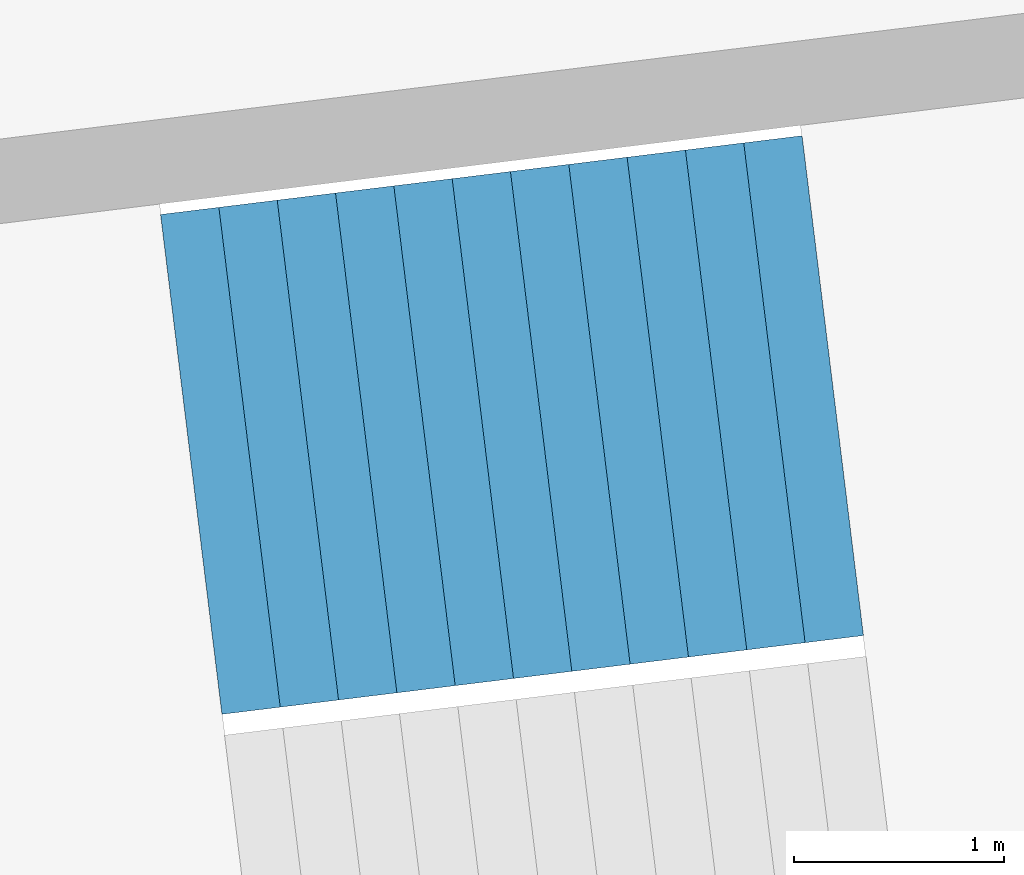
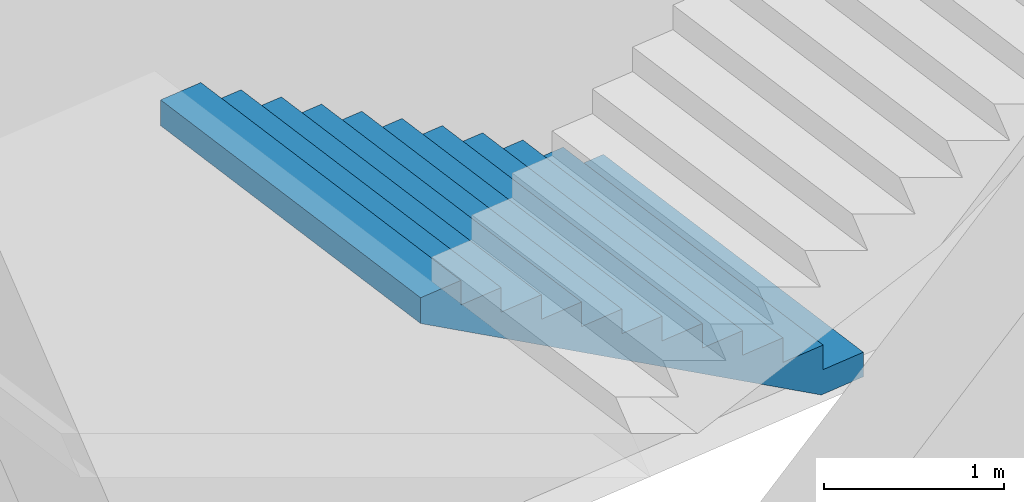
# One storey, part 60 of 74: 1 stair flight, 1 element without a shape of its own.
"""IFC4 building model written with IfcOpenShell, lengths in metres."""

from ifc_helpers import new_model, si_unit, direction, frame, origin, place, context, subcontext, project, spatial, triangles, material, type_object, element, aggregate, save


model = new_model("IFC4")

# Units and contexts
model_context = context("Model", 3, precision=1e-05, world=origin(), true_north=direction((0.0, 1.0)))
body_context = subcontext(model_context, "Body", "Model", "MODEL_VIEW")
ifc_project = project(units=[si_unit("LENGTHUNIT", "METRE"), si_unit("AREAUNIT", "SQUARE_METRE"), si_unit("VOLUMEUNIT", "CUBIC_METRE"), si_unit("PLANEANGLEUNIT", "RADIAN"), si_unit("MASSUNIT", "GRAM", prefix="KILO")], contexts=[model_context])

# Site, building, storey
site_placement = place(None, origin())
site = spatial("IfcSite", under=ifc_project, at=site_placement, CompositionType="ELEMENT")
building_placement = place(site_placement, origin())
building = spatial("IfcBuilding", under=site, at=building_placement, Name="Lantaw Convention Tower", CompositionType="ELEMENT")
storey_placement = place(building_placement, frame((0.0, 0.0, 6.5)))
storey = spatial("IfcBuildingStorey", under=building, at=storey_placement, Name="L01", CompositionType="ELEMENT", Elevation=6.5)

# Stair, stair flight
ifc_material = material(Name="Concrete C35/45", Category="concrete")
stair_type = type_object("IfcStairType", Name="Exit stair 2400 riser 166.67 in 4 flights", PredefinedType="HALF_TURN_STAIR", material=ifc_material)
stair_placement = place(storey_placement, origin())
stair = element("IfcStair", 1, at=stair_placement, inside=storey, type_object=stair_type, Name="Podium exit stair P1 L01", PredefinedType="HALF_TURN_STAIR")
stair_flight_type = type_object("IfcStairFlightType", Name="Stair flight 2400 riser 166.67", PredefinedType="STRAIGHT", material=ifc_material)
stair_flight_placement = place(storey_placement, frame((41.028564453125, 6.297119140625, 2.0), z_axis=(0.0, 0.0, 1.0), x_axis=(-0.992546151641, -0.121869343405, 0.0)))
stair_flight = element("IfcStairFlight", 2, at=stair_flight_placement, type_object=stair_flight_type, Name="P1 flight 2", NumberOfRisers=12, NumberOfTreads=11, PredefinedType="STRAIGHT", RiserHeight=0.166666667, TreadLength=0.28, context=body_context, shape_type="Tessellation", body=[
    triangles([(0.0, 1.199951171875, 0.0), (0.0, 1.199951171875, 0.166666667), (0.28, 1.199951171875, 0.0), (0.28, 1.199951171875, 0.166666667), (0.28, 1.199951171875, 0.333333334), (0.29307345806906726, 1.199951171875, 0.0), (0.29307345806906726, 1.199951171875, 0.333333334), (0.56, 1.199951171875, 0.15888484670522965), (0.56, 1.199951171875, 0.333333334), (0.56, 1.199951171875, 0.500000001), (0.8400000000000001, 1.199951171875, 0.3255515137052296), (0.8400000000000001, 1.199951171875, 0.500000001), (0.8400000000000001, 1.199951171875, 0.666666668), (1.12, 1.199951171875, 0.4922181807052296), (1.12, 1.199951171875, 0.666666668), (1.12, 1.199951171875, 0.833333335), (1.4000000000000001, 1.199951171875, 0.6588848477052296), (1.4000000000000001, 1.199951171875, 0.833333335), (1.4000000000000001, 1.199951171875, 1.000000002), (1.6800000000000002, 1.199951171875, 0.8255515147052296), (1.6800000000000002, 1.199951171875, 1.000000002), (1.6800000000000002, 1.199951171875, 1.166666669), (1.9600000000000002, 1.199951171875, 0.9922181817052296), (1.9600000000000002, 1.199951171875, 1.166666669), (1.9600000000000002, 1.199951171875, 1.333333336), (2.24, 1.199951171875, 1.1588848487052295), (2.24, 1.199951171875, 1.333333336), (2.24, 1.199951171875, 1.5000000029999998), (2.5200000000000005, 1.199951171875, 1.3255515157052296), (2.5200000000000005, 1.199951171875, 1.5000000029999998), (2.5200000000000005, 1.199951171875, 1.66666667), (2.8000000000000003, 1.199951171875, 1.4922181827052294), (2.8000000000000003, 1.199951171875, 1.66666667), (2.8000000000000003, 1.199951171875, 1.833333337), (3.08, 1.199951171875, 1.6588848497052293), (3.08, 1.199951171875, 1.833333337), (0.0, -1.199951171875, 0.0), (0.0, -1.199951171875, 0.166666667), (0.28, -1.199951171875, 0.0), (0.28, -1.199951171875, 0.166666667), (0.28, -1.199951171875, 0.333333334), (0.29307345806906726, -1.199951171875, 0.0), (0.29307345806906726, -1.199951171875, 0.333333334), (0.56, -1.199951171875, 0.15888484670522965), (0.56, -1.199951171875, 0.333333334), (0.56, -1.199951171875, 0.500000001), (0.8400000000000001, -1.199951171875, 0.3255515137052296), (0.8400000000000001, -1.199951171875, 0.500000001), (0.8400000000000001, -1.199951171875, 0.666666668), (1.12, -1.199951171875, 0.4922181807052296), (1.12, -1.199951171875, 0.666666668), (1.12, -1.199951171875, 0.833333335), (1.4000000000000001, -1.199951171875, 0.6588848477052296), (1.4000000000000001, -1.199951171875, 0.833333335), (1.4000000000000001, -1.199951171875, 1.000000002), (1.6800000000000002, -1.199951171875, 0.8255515147052296), (1.6800000000000002, -1.199951171875, 1.000000002), (1.6800000000000002, -1.199951171875, 1.166666669), (1.9600000000000002, -1.199951171875, 0.9922181817052296), (1.9600000000000002, -1.199951171875, 1.166666669), (1.9600000000000002, -1.199951171875, 1.333333336), (2.24, -1.199951171875, 1.1588848487052295), (2.24, -1.199951171875, 1.333333336), (2.24, -1.199951171875, 1.5000000029999998), (2.5200000000000005, -1.199951171875, 1.3255515157052296), (2.5200000000000005, -1.199951171875, 1.5000000029999998), (2.5200000000000005, -1.199951171875, 1.66666667), (2.8000000000000003, -1.199951171875, 1.4922181827052294), (2.8000000000000003, -1.199951171875, 1.66666667), (2.8000000000000003, -1.199951171875, 1.833333337), (3.08, -1.199951171875, 1.6588848497052293), (3.08, -1.199951171875, 1.833333337), (0.0, 0.239990234375, 0.166666667), (0.0, 0.239990234375, 0.0), (0.0, 0.1199951171875, 0.166666667), (0.0, 0.1199951171875, 0.0), (0.0, 0.0, 0.166666667), (0.0, 0.0, 0.0), (0.0, -0.1199951171875, 0.166666667), (0.0, -0.1199951171875, 0.0), (0.0, -0.239990234375, 0.166666667), (0.0, -0.239990234375, 0.0), (0.28, 0.239990234375, 0.333333334), (0.28, 0.239990234375, 0.166666667), (0.28, 0.1199951171875, 0.333333334), (0.28, 0.1199951171875, 0.166666667), (0.28, 0.0, 0.333333334), (0.28, 0.0, 0.166666667), (0.28, -0.1199951171875, 0.333333334), (0.28, -0.1199951171875, 0.166666667), (0.28, -0.239990234375, 0.333333334), (0.28, -0.239990234375, 0.166666667), (0.56, 0.239990234375, 0.500000001), (0.56, 0.239990234375, 0.333333334), (0.56, 0.1199951171875, 0.500000001), (0.56, 0.1199951171875, 0.333333334), (0.56, 0.0, 0.500000001), (0.56, 0.0, 0.333333334), (0.56, -0.1199951171875, 0.500000001), (0.56, -0.1199951171875, 0.333333334), (0.56, -0.239990234375, 0.500000001), (0.56, -0.239990234375, 0.333333334), (0.8400000000000001, 0.239990234375, 0.666666668), (0.8400000000000001, 0.239990234375, 0.500000001), (0.8400000000000001, 0.1199951171875, 0.666666668), (0.8400000000000001, 0.1199951171875, 0.500000001), (0.8400000000000001, 0.0, 0.666666668), (0.8400000000000001, 0.0, 0.500000001), (0.8400000000000001, -0.1199951171875, 0.666666668), (0.8400000000000001, -0.1199951171875, 0.500000001), (0.8400000000000001, -0.239990234375, 0.666666668), (0.8400000000000001, -0.239990234375, 0.500000001), (1.12, 0.239990234375, 0.833333335), (1.12, 0.239990234375, 0.666666668), (1.12, 0.1199951171875, 0.833333335), (1.12, 0.1199951171875, 0.666666668), (1.12, 0.0, 0.833333335), (1.12, 0.0, 0.666666668), (1.12, -0.1199951171875, 0.833333335), (1.12, -0.1199951171875, 0.666666668), (1.12, -0.239990234375, 0.833333335), (1.12, -0.239990234375, 0.666666668), (1.4000000000000001, 0.239990234375, 1.000000002), (1.4000000000000001, 0.239990234375, 0.833333335), (1.4000000000000001, 0.1199951171875, 1.000000002), (1.4000000000000001, 0.1199951171875, 0.833333335), (1.4000000000000001, 0.0, 1.000000002), (1.4000000000000001, 0.0, 0.833333335), (1.4000000000000001, -0.1199951171875, 1.000000002), (1.4000000000000001, -0.1199951171875, 0.833333335), (1.4000000000000001, -0.239990234375, 1.000000002), (1.4000000000000001, -0.239990234375, 0.833333335), (1.6800000000000002, 0.239990234375, 1.166666669), (1.6800000000000002, 0.239990234375, 1.000000002), (1.6800000000000002, 0.1199951171875, 1.166666669), (1.6800000000000002, 0.1199951171875, 1.000000002), (1.6800000000000002, 0.0, 1.166666669), (1.6800000000000002, 0.0, 1.000000002), (1.6800000000000002, -0.1199951171875, 1.166666669), (1.6800000000000002, -0.1199951171875, 1.000000002), (1.6800000000000002, -0.239990234375, 1.166666669), (1.6800000000000002, -0.239990234375, 1.000000002), (1.9600000000000002, 0.239990234375, 1.333333336), (1.9600000000000002, 0.239990234375, 1.166666669), (1.9600000000000002, 0.1199951171875, 1.333333336), (1.9600000000000002, 0.1199951171875, 1.166666669), (1.9600000000000002, 0.0, 1.333333336), (1.9600000000000002, 0.0, 1.166666669), (1.9600000000000002, -0.1199951171875, 1.333333336), (1.9600000000000002, -0.1199951171875, 1.166666669), (1.9600000000000002, -0.239990234375, 1.333333336), (1.9600000000000002, -0.239990234375, 1.166666669), (2.24, 0.239990234375, 1.5000000029999998), (2.24, 0.239990234375, 1.333333336), (2.24, 0.1199951171875, 1.5000000029999998), (2.24, 0.1199951171875, 1.333333336), (2.24, 0.0, 1.5000000029999998), (2.24, 0.0, 1.333333336), (2.24, -0.1199951171875, 1.5000000029999998), (2.24, -0.1199951171875, 1.333333336), (2.24, -0.239990234375, 1.5000000029999998), (2.24, -0.239990234375, 1.333333336), (2.5200000000000005, 0.239990234375, 1.66666667), (2.5200000000000005, 0.239990234375, 1.5000000029999998), (2.5200000000000005, 0.1199951171875, 1.66666667), (2.5200000000000005, 0.1199951171875, 1.5000000029999998), (2.5200000000000005, 0.0, 1.66666667), (2.5200000000000005, 0.0, 1.5000000029999998), (2.5200000000000005, -0.1199951171875, 1.66666667), (2.5200000000000005, -0.1199951171875, 1.5000000029999998), (2.5200000000000005, -0.239990234375, 1.66666667), (2.5200000000000005, -0.239990234375, 1.5000000029999998), (2.8000000000000003, 0.239990234375, 1.833333337), (2.8000000000000003, 0.239990234375, 1.66666667), (2.8000000000000003, 0.1199951171875, 1.833333337), (2.8000000000000003, 0.1199951171875, 1.66666667), (2.8000000000000003, 0.0, 1.833333337), (2.8000000000000003, 0.0, 1.66666667), (2.8000000000000003, -0.1199951171875, 1.833333337), (2.8000000000000003, -0.1199951171875, 1.66666667), (2.8000000000000003, -0.239990234375, 1.833333337), (2.8000000000000003, -0.239990234375, 1.66666667), (0.29307345806906726, 0.239990234375, 0.333333334), (0.29307345806906726, 0.1199951171875, 0.333333334), (0.29307345806906726, 0.0, 0.333333334), (0.29307345806906726, -0.1199951171875, 0.333333334), (0.29307345806906726, -0.239990234375, 0.333333334), (3.08, 0.239990234375, 1.833333337), (3.08, 0.1199951171875, 1.833333337), (3.08, 0.0, 1.833333337), (3.08, -0.1199951171875, 1.833333337), (3.08, -0.239990234375, 1.833333337), (3.08, 0.239990234375, 1.6588848497052293), (3.08, 0.1199951171875, 1.6588848497052293), (3.08, 0.0, 1.6588848497052293), (3.08, -0.1199951171875, 1.6588848497052293), (3.08, -0.239990234375, 1.6588848497052293), (2.8000000000000003, 0.239990234375, 1.4922181827052294), (2.8000000000000003, 0.1199951171875, 1.4922181827052294), (2.8000000000000003, 0.0, 1.4922181827052294), (2.8000000000000003, -0.1199951171875, 1.4922181827052294), (2.8000000000000003, -0.239990234375, 1.4922181827052294), (2.5200000000000005, 0.239990234375, 1.3255515157052296), (2.5200000000000005, 0.1199951171875, 1.3255515157052296), (2.5200000000000005, 0.0, 1.3255515157052296), (2.5200000000000005, -0.1199951171875, 1.3255515157052296), (2.5200000000000005, -0.239990234375, 1.3255515157052296), (2.24, 0.239990234375, 1.1588848487052295), (2.24, 0.1199951171875, 1.1588848487052295), (2.24, 0.0, 1.1588848487052295), (2.24, -0.1199951171875, 1.1588848487052295), (2.24, -0.239990234375, 1.1588848487052295), (1.9600000000000002, 0.239990234375, 0.9922181817052296), (1.9600000000000002, 0.1199951171875, 0.9922181817052296), (1.9600000000000002, 0.0, 0.9922181817052296), (1.9600000000000002, -0.1199951171875, 0.9922181817052296), (1.9600000000000002, -0.239990234375, 0.9922181817052296), (1.6800000000000002, 0.239990234375, 0.8255515147052296), (1.6800000000000002, 0.1199951171875, 0.8255515147052296), (1.6800000000000002, 0.0, 0.8255515147052296), (1.6800000000000002, -0.1199951171875, 0.8255515147052296), (1.6800000000000002, -0.239990234375, 0.8255515147052296), (1.4000000000000001, 0.239990234375, 0.6588848477052296), (1.4000000000000001, 0.1199951171875, 0.6588848477052296), (1.4000000000000001, 0.0, 0.6588848477052296), (1.4000000000000001, -0.1199951171875, 0.6588848477052296), (1.4000000000000001, -0.239990234375, 0.6588848477052296), (1.12, 0.239990234375, 0.4922181807052296), (1.12, 0.1199951171875, 0.4922181807052296), (1.12, 0.0, 0.4922181807052296), (1.12, -0.1199951171875, 0.4922181807052296), (1.12, -0.239990234375, 0.4922181807052296), (0.8400000000000001, 0.239990234375, 0.3255515137052296), (0.8400000000000001, 0.1199951171875, 0.3255515137052296), (0.8400000000000001, 0.0, 0.3255515137052296), (0.8400000000000001, -0.1199951171875, 0.3255515137052296), (0.8400000000000001, -0.239990234375, 0.3255515137052296), (0.56, 0.239990234375, 0.15888484670522965), (0.56, 0.1199951171875, 0.15888484670522965), (0.56, 0.0, 0.15888484670522965), (0.56, -0.1199951171875, 0.15888484670522965), (0.56, -0.239990234375, 0.15888484670522965), (0.29307345806906726, 0.239990234375, 0.0), (0.29307345806906726, 0.1199951171875, 0.0), (0.29307345806906726, 0.0, 0.0), (0.29307345806906726, -0.1199951171875, 0.0), (0.29307345806906726, -0.239990234375, 0.0), (0.28, 0.239990234375, 0.0), (0.28, 0.1199951171875, 0.0), (0.28, 0.0, 0.0), (0.28, -0.1199951171875, 0.0), (0.28, -0.239990234375, 0.0)], [[1, 4, 3], [1, 2, 4], [3, 4, 6], [4, 7, 6], [4, 5, 7], [6, 9, 8], [6, 7, 9], [8, 9, 11], [9, 12, 11], [9, 10, 12], [11, 12, 14], [12, 15, 14], [12, 13, 15], [14, 15, 17], [15, 18, 17], [15, 16, 18], [17, 18, 20], [18, 21, 20], [18, 19, 21], [20, 21, 23], [21, 24, 23], [21, 22, 24], [23, 24, 26], [24, 27, 26], [24, 25, 27], [26, 27, 29], [27, 30, 29], [27, 28, 30], [29, 30, 32], [30, 33, 32], [30, 31, 33], [32, 33, 35], [33, 36, 35], [33, 34, 36], [37, 39, 40], [37, 40, 38], [39, 42, 40], [40, 42, 43], [40, 43, 41], [42, 44, 45], [42, 45, 43], [44, 47, 45], [45, 47, 48], [45, 48, 46], [47, 50, 48], [48, 50, 51], [48, 51, 49], [50, 53, 51], [51, 53, 54], [51, 54, 52], [53, 56, 54], [54, 56, 57], [54, 57, 55], [56, 59, 57], [57, 59, 60], [57, 60, 58], [59, 62, 60], [60, 62, 63], [60, 63, 61], [62, 65, 63], [63, 65, 66], [63, 66, 64], [65, 68, 66], [66, 68, 69], [66, 69, 67], [68, 71, 69], [69, 71, 72], [69, 72, 70], [1, 73, 2], [1, 74, 73], [74, 75, 73], [74, 76, 75], [76, 77, 75], [76, 78, 77], [78, 79, 77], [78, 80, 79], [80, 81, 79], [80, 82, 81], [82, 38, 81], [82, 37, 38], [4, 83, 5], [4, 84, 83], [84, 85, 83], [84, 86, 85], [86, 87, 85], [86, 88, 87], [88, 89, 87], [88, 90, 89], [90, 91, 89], [90, 92, 91], [92, 41, 91], [92, 40, 41], [9, 93, 10], [9, 94, 93], [94, 95, 93], [94, 96, 95], [96, 97, 95], [96, 98, 97], [98, 99, 97], [98, 100, 99], [100, 101, 99], [100, 102, 101], [102, 46, 101], [102, 45, 46], [12, 103, 13], [12, 104, 103], [104, 105, 103], [104, 106, 105], [106, 107, 105], [106, 108, 107], [108, 109, 107], [108, 110, 109], [110, 111, 109], [110, 112, 111], [112, 49, 111], [112, 48, 49], [15, 113, 16], [15, 114, 113], [114, 115, 113], [114, 116, 115], [116, 117, 115], [116, 118, 117], [118, 119, 117], [118, 120, 119], [120, 121, 119], [120, 122, 121], [122, 52, 121], [122, 51, 52], [18, 123, 19], [18, 124, 123], [124, 125, 123], [124, 126, 125], [126, 127, 125], [126, 128, 127], [128, 129, 127], [128, 130, 129], [130, 131, 129], [130, 132, 131], [132, 55, 131], [132, 54, 55], [21, 133, 22], [21, 134, 133], [134, 135, 133], [134, 136, 135], [136, 137, 135], [136, 138, 137], [138, 139, 137], [138, 140, 139], [140, 141, 139], [140, 142, 141], [142, 58, 141], [142, 57, 58], [24, 143, 25], [24, 144, 143], [144, 145, 143], [144, 146, 145], [146, 147, 145], [146, 148, 147], [148, 149, 147], [148, 150, 149], [150, 151, 149], [150, 152, 151], [152, 61, 151], [152, 60, 61], [27, 153, 28], [27, 154, 153], [154, 155, 153], [154, 156, 155], [156, 157, 155], [156, 158, 157], [158, 159, 157], [158, 160, 159], [160, 161, 159], [160, 162, 161], [162, 64, 161], [162, 63, 64], [30, 163, 31], [30, 164, 163], [164, 165, 163], [164, 166, 165], [166, 167, 165], [166, 168, 167], [168, 169, 167], [168, 170, 169], [170, 171, 169], [170, 172, 171], [172, 67, 171], [172, 66, 67], [33, 173, 34], [33, 174, 173], [174, 175, 173], [174, 176, 175], [176, 177, 175], [176, 178, 177], [178, 179, 177], [178, 180, 179], [180, 181, 179], [180, 182, 181], [182, 70, 181], [182, 69, 70], [2, 84, 4], [2, 73, 84], [73, 86, 84], [73, 75, 86], [75, 88, 86], [75, 77, 88], [77, 90, 88], [77, 79, 90], [79, 92, 90], [79, 81, 92], [81, 40, 92], [81, 38, 40], [5, 183, 7], [5, 83, 183], [83, 184, 183], [83, 85, 184], [85, 185, 184], [85, 87, 185], [87, 186, 185], [87, 89, 186], [89, 187, 186], [89, 91, 187], [91, 43, 187], [91, 41, 43], [7, 94, 9], [7, 183, 94], [183, 96, 94], [183, 184, 96], [184, 98, 96], [184, 185, 98], [185, 100, 98], [185, 186, 100], [186, 102, 100], [186, 187, 102], [187, 45, 102], [187, 43, 45], [10, 104, 12], [10, 93, 104], [93, 106, 104], [93, 95, 106], [95, 108, 106], [95, 97, 108], [97, 110, 108], [97, 99, 110], [99, 112, 110], [99, 101, 112], [101, 48, 112], [101, 46, 48], [13, 114, 15], [13, 103, 114], [103, 116, 114], [103, 105, 116], [105, 118, 116], [105, 107, 118], [107, 120, 118], [107, 109, 120], [109, 122, 120], [109, 111, 122], [111, 51, 122], [111, 49, 51], [16, 124, 18], [16, 113, 124], [113, 126, 124], [113, 115, 126], [115, 128, 126], [115, 117, 128], [117, 130, 128], [117, 119, 130], [119, 132, 130], [119, 121, 132], [121, 54, 132], [121, 52, 54], [19, 134, 21], [19, 123, 134], [123, 136, 134], [123, 125, 136], [125, 138, 136], [125, 127, 138], [127, 140, 138], [127, 129, 140], [129, 142, 140], [129, 131, 142], [131, 57, 142], [131, 55, 57], [22, 144, 24], [22, 133, 144], [133, 146, 144], [133, 135, 146], [135, 148, 146], [135, 137, 148], [137, 150, 148], [137, 139, 150], [139, 152, 150], [139, 141, 152], [141, 60, 152], [141, 58, 60], [25, 154, 27], [25, 143, 154], [143, 156, 154], [143, 145, 156], [145, 158, 156], [145, 147, 158], [147, 160, 158], [147, 149, 160], [149, 162, 160], [149, 151, 162], [151, 63, 162], [151, 61, 63], [28, 164, 30], [28, 153, 164], [153, 166, 164], [153, 155, 166], [155, 168, 166], [155, 157, 168], [157, 170, 168], [157, 159, 170], [159, 172, 170], [159, 161, 172], [161, 66, 172], [161, 64, 66], [31, 174, 33], [31, 163, 174], [163, 176, 174], [163, 165, 176], [165, 178, 176], [165, 167, 178], [167, 180, 178], [167, 169, 180], [169, 182, 180], [169, 171, 182], [171, 69, 182], [171, 67, 69], [34, 188, 36], [34, 173, 188], [173, 189, 188], [173, 175, 189], [175, 190, 189], [175, 177, 190], [177, 191, 190], [177, 179, 191], [179, 192, 191], [179, 181, 192], [181, 72, 192], [181, 70, 72], [36, 193, 35], [36, 188, 193], [188, 194, 193], [188, 189, 194], [189, 195, 194], [189, 190, 195], [190, 196, 195], [190, 191, 196], [191, 197, 196], [191, 192, 197], [192, 71, 197], [192, 72, 71], [35, 198, 32], [35, 193, 198], [193, 199, 198], [193, 194, 199], [194, 200, 199], [194, 195, 200], [195, 201, 200], [195, 196, 201], [196, 202, 201], [196, 197, 202], [197, 68, 202], [197, 71, 68], [32, 203, 29], [32, 198, 203], [198, 204, 203], [198, 199, 204], [199, 205, 204], [199, 200, 205], [200, 206, 205], [200, 201, 206], [201, 207, 206], [201, 202, 207], [202, 65, 207], [202, 68, 65], [29, 208, 26], [29, 203, 208], [203, 209, 208], [203, 204, 209], [204, 210, 209], [204, 205, 210], [205, 211, 210], [205, 206, 211], [206, 212, 211], [206, 207, 212], [207, 62, 212], [207, 65, 62], [26, 213, 23], [26, 208, 213], [208, 214, 213], [208, 209, 214], [209, 215, 214], [209, 210, 215], [210, 216, 215], [210, 211, 216], [211, 217, 216], [211, 212, 217], [212, 59, 217], [212, 62, 59], [23, 218, 20], [23, 213, 218], [213, 219, 218], [213, 214, 219], [214, 220, 219], [214, 215, 220], [215, 221, 220], [215, 216, 221], [216, 222, 221], [216, 217, 222], [217, 56, 222], [217, 59, 56], [20, 223, 17], [20, 218, 223], [218, 224, 223], [218, 219, 224], [219, 225, 224], [219, 220, 225], [220, 226, 225], [220, 221, 226], [221, 227, 226], [221, 222, 227], [222, 53, 227], [222, 56, 53], [17, 228, 14], [17, 223, 228], [223, 229, 228], [223, 224, 229], [224, 230, 229], [224, 225, 230], [225, 231, 230], [225, 226, 231], [226, 232, 231], [226, 227, 232], [227, 50, 232], [227, 53, 50], [14, 233, 11], [14, 228, 233], [228, 234, 233], [228, 229, 234], [229, 235, 234], [229, 230, 235], [230, 236, 235], [230, 231, 236], [231, 237, 236], [231, 232, 237], [232, 47, 237], [232, 50, 47], [11, 238, 8], [11, 233, 238], [233, 239, 238], [233, 234, 239], [234, 240, 239], [234, 235, 240], [235, 241, 240], [235, 236, 241], [236, 242, 241], [236, 237, 242], [237, 44, 242], [237, 47, 44], [8, 243, 6], [8, 238, 243], [238, 244, 243], [238, 239, 244], [239, 245, 244], [239, 240, 245], [240, 246, 245], [240, 241, 246], [241, 247, 246], [241, 242, 247], [242, 42, 247], [242, 44, 42], [6, 248, 3], [6, 243, 248], [243, 249, 248], [243, 244, 249], [244, 250, 249], [244, 245, 250], [245, 251, 250], [245, 246, 251], [246, 252, 251], [246, 247, 252], [247, 39, 252], [247, 42, 39], [3, 74, 1], [3, 248, 74], [248, 76, 74], [248, 249, 76], [249, 78, 76], [249, 250, 78], [250, 80, 78], [250, 251, 80], [251, 82, 80], [251, 252, 82], [252, 37, 82], [252, 39, 37]], closed=True),
])
aggregate(stair, [stair_flight])

save(model, "model.ifc")
